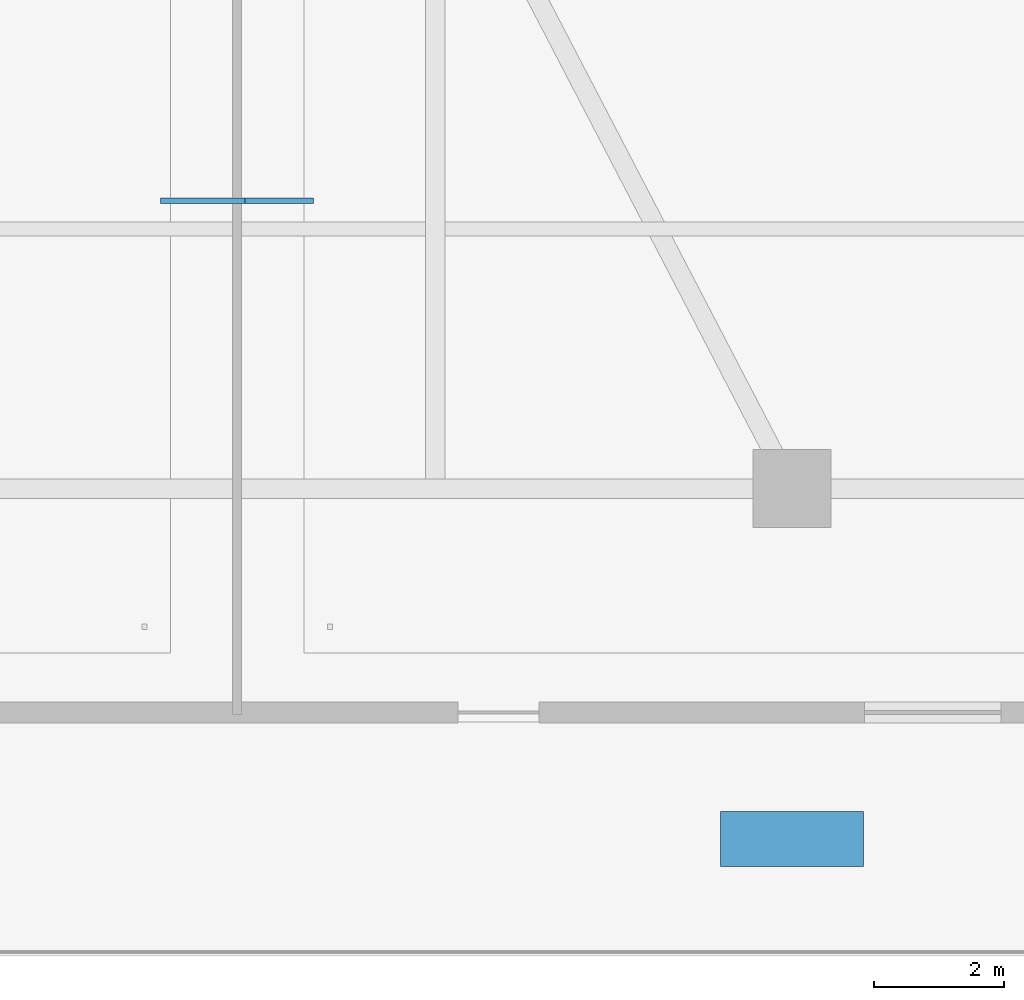
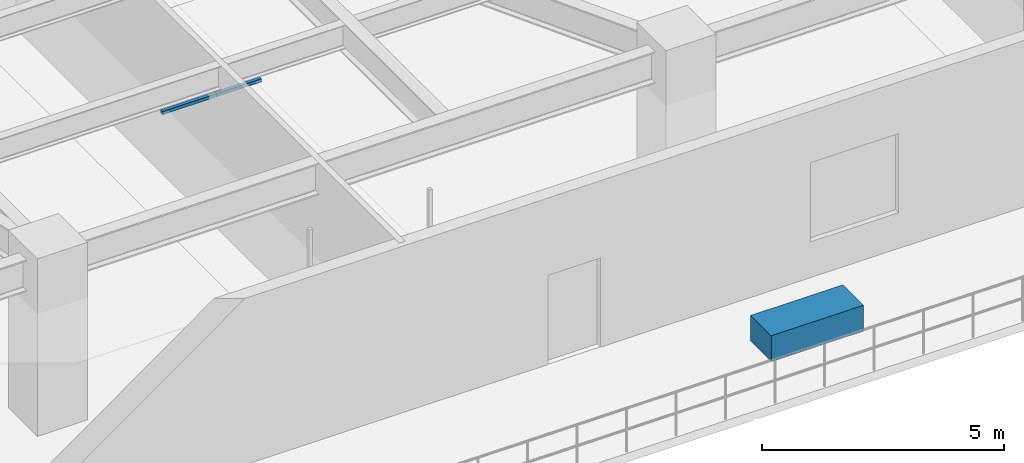
# One storey, part 14 of 22: 3 discrete accessories.
"""IFC4 building model written with IfcOpenShell, lengths in metres."""

import ifcopenshell
import ifcopenshell.guid

model = None  # the IFC model being written
_history = None  # IfcOwnerHistory: only IFC2X3 demands one
_inside = {}  # id of a spatial element -> (the spatial element, [elements in it])
_under = {}  # id of a project, library or spatial element -> (it, [spatial elements below it])
_declared = {}  # id of a project -> (the project, [libraries it declares])
_typed = {}  # id of a type object -> (the type object, [elements of that type])
_made_of = {}  # id of a material, layer set ... -> (it, [elements and type objects made of it])


def new_model(schema):
    """Start an empty IFC model of exactly this schema.

    Asked for "IFC4X3", IfcOpenShell would pick the latest addendum, in which some entities
    have other attributes; the version numbers below select the first issue.
    IFC2X3 requires an IfcOwnerHistory on every rooted entity: one is made here for all.
    """
    global model, _history
    if schema == "IFC4X3":
        model = ifcopenshell.file(schema_version=(4, 3, 0, 0))
    else:
        model = ifcopenshell.file(schema=schema)
    _inside.clear()
    _under.clear()
    _declared.clear()
    _typed.clear()
    _made_of.clear()
    _history = None
    if model.schema == "IFC2X3":
        org = make("IfcOrganization", Name="unknown")
        user = make(
            "IfcPersonAndOrganization",
            ThePerson=make("IfcPerson", FamilyName="unknown"),
            TheOrganization=org,
        )
        app = make(
            "IfcApplication",
            ApplicationDeveloper=org,
            Version="unknown",
            ApplicationFullName="unknown",
            ApplicationIdentifier="unknown",
        )
        _history = make(
            "IfcOwnerHistory",
            OwningUser=user,
            OwningApplication=app,
            ChangeAction="ADDED",
            CreationDate=0,
        )
    return model


def make(cls, **values):
    """One entity of the class cls with the attributes given. An attribute that is None is left unset."""
    return model.create_entity(
        cls, **{name: value for name, value in values.items() if value is not None}
    )


def rooted(cls, **values):
    """An entity with a GlobalId (a new one), such as an element, a storey or a relation."""
    return make(cls, GlobalId=ifcopenshell.guid.new(), OwnerHistory=_history, **values)


def si_unit(unit_type, name, prefix=None):
    """IfcSIUnit, for example si_unit("LENGTHUNIT", "METRE", prefix="MILLI")."""
    return make("IfcSIUnit", UnitType=unit_type, Prefix=prefix, Name=name)


def assignment(units):
    """IfcUnitAssignment: the units of a project."""
    return None if units is None else make("IfcUnitAssignment", Units=units)


def point(xyz):
    """IfcCartesianPoint."""
    return None if xyz is None else make("IfcCartesianPoint", Coordinates=xyz)


def direction(xyz):
    """IfcDirection."""
    return None if xyz is None else make("IfcDirection", DirectionRatios=xyz)


def frame(location, z_axis=None, x_axis=None):
    """IfcAxis2Placement3D, a coordinate frame: its origin and axes. An axis left out is left unset."""
    return make(
        "IfcAxis2Placement3D",
        Location=point(location),
        Axis=direction(z_axis),
        RefDirection=direction(x_axis),
    )


def frame_2d(location, x_axis=None):
    """IfcAxis2Placement2D, a coordinate frame in the plane: its origin and x axis."""
    return make(
        "IfcAxis2Placement2D", Location=point(location), RefDirection=direction(x_axis)
    )


def origin():
    """The frame at (0, 0, 0) with its axes left unset."""
    return frame((0.0, 0.0, 0.0))


def origin_2d():
    """The frame at (0, 0) in the plane with its x axis left unset."""
    return frame_2d((0.0, 0.0))


def place(relative_to, where):
    """IfcLocalPlacement: puts the frame where relative to a parent placement (None: the world)."""
    return make(
        "IfcLocalPlacement", PlacementRelTo=relative_to, RelativePlacement=where
    )


def context(
    kind, dimensions, precision=None, world=None, true_north=None, identifier=None
):
    """IfcGeometricRepresentationContext, for example the 3D "Model" context."""
    return make(
        "IfcGeometricRepresentationContext",
        ContextIdentifier=identifier,
        ContextType=kind,
        CoordinateSpaceDimension=dimensions,
        Precision=precision,
        WorldCoordinateSystem=world,
        TrueNorth=true_north,
    )


def subcontext(parent, identifier, kind, view, scale=None):
    """IfcGeometricRepresentationSubContext, for example "Body" below "Model"."""
    return make(
        "IfcGeometricRepresentationSubContext",
        ContextIdentifier=identifier,
        ContextType=kind,
        ParentContext=parent,
        TargetScale=scale,
        TargetView=view,
    )


def project(units=None, contexts=None):
    """IfcProject with its units and contexts."""
    return rooted(
        "IfcProject",
        Name="project",
        RepresentationContexts=contexts,
        UnitsInContext=assignment(units),
    )


def spatial(cls, under=None, at=None, **own):
    """A site, building, storey or space (cls), placed at a placement, below another one or the project."""
    s = rooted(cls, ObjectPlacement=at, **own)
    if under is not None:
        _under.setdefault(under.id(), (under, []))[1].append(s)
    return s


def profile(cls, at=None, kind="AREA", **sizes):
    """A parametric profile (cls). Its sizes go by their IFC names, for example OverallWidth=200.0."""
    return make(cls, ProfileType=kind, Position=at, **sizes)


def rectangle(**sizes):
    """IfcRectangleProfileDef."""
    return profile("IfcRectangleProfileDef", **sizes)


def extrude(swept, where, along, depth):
    """IfcExtrudedAreaSolid: the profile swept, set in the frame where, extruded along a direction by depth."""
    return make(
        "IfcExtrudedAreaSolid",
        SweptArea=swept,
        Position=where,
        ExtrudedDirection=direction(along),
        Depth=depth,
    )


def shape(context_of_items, identifier, shape_type, items):
    """IfcShapeRepresentation: the items that make up one representation, for example the "Body"."""
    return make(
        "IfcShapeRepresentation",
        ContextOfItems=context_of_items,
        RepresentationIdentifier=identifier,
        RepresentationType=shape_type,
        Items=items,
    )


def material(Name=None, Category=None):
    """IfcMaterial."""
    return make("IfcMaterial", Name=Name, Category=Category)


def made_of(thing, what):
    """Note that an element or type object is made of a material, layer set ...; save() writes the relation."""
    if what is not None:
        _made_of.setdefault(what.id(), (what, []))[1].append(thing)
    return thing


def type_object(cls, material=None, **own):
    """A type object (cls), such as IfcWallType, which elements share."""
    return made_of(rooted(cls, **own), material)


def element(
    cls,
    number,
    at=None,
    inside=None,
    cuts=None,
    type_object=None,
    material=None,
    context=None,
    identifier="Body",
    shape_type=None,
    held_by="IfcProductDefinitionShape",
    body=None,
    shapes=None,
    **own,
):
    """One element of the class cls, such as IfcWall. Its Tag is "e" and its number.

    at: its placement. inside: the storey or other place that contains it. cuts: it is an
    opening in that element (IfcRelVoidsElement). A single representation is given by context,
    identifier, shape_type and body (its items); several are given by shapes. held_by: the class
    of the entity that holds the representations. save() writes the other relations.
    """
    e = rooted(cls, Tag="e%d" % number, ObjectPlacement=at, **own)
    if body is not None:
        shapes = [shape(context, identifier, shape_type, body)]
    if shapes is not None:
        e.Representation = make(held_by, Representations=shapes)
    if inside is not None:
        _inside.setdefault(inside.id(), (inside, []))[1].append(e)
    if cuts is not None:
        rooted(
            "IfcRelVoidsElement", RelatingBuildingElement=cuts, RelatedOpeningElement=e
        )
    if type_object is not None:
        _typed.setdefault(type_object.id(), (type_object, []))[1].append(e)
    return made_of(e, material)


def aggregate(whole, parts):
    """IfcRelAggregates: a whole, such as a stair, and the parts it consists of."""
    return rooted("IfcRelAggregates", RelatingObject=whole, RelatedObjects=parts)


def save(model, path):
    """Write the relations noted so far, then the file.

    IfcRelAggregates (storeys below a building ...), IfcRelContainedInSpatialStructure (elements
    in a storey), IfcRelDefinesByType, IfcRelAssociatesMaterial and IfcRelDeclares: one each for
    every whole, place, type object, material and project.
    """
    for whole, parts in _under.values():
        aggregate(whole, parts)
    for where, things in _inside.values():
        rooted(
            "IfcRelContainedInSpatialStructure",
            RelatedElements=things,
            RelatingStructure=where,
        )
    for kind, things in _typed.values():
        rooted("IfcRelDefinesByType", RelatedObjects=things, RelatingType=kind)
    for what, things in _made_of.values():
        rooted("IfcRelAssociatesMaterial", RelatedObjects=things, RelatingMaterial=what)
    for by, libraries in _declared.values():
        rooted("IfcRelDeclares", RelatingContext=by, RelatedDefinitions=libraries)
    model.write(path)


model = new_model("IFC4")

# Units and contexts
model_context = context("Model", 3, precision=1e-05, world=origin(), true_north=direction((0.0, 1.0)))
body_context = subcontext(model_context, "Body", "Model", "MODEL_VIEW")
ifc_project = project(units=[si_unit("LENGTHUNIT", "METRE"), si_unit("AREAUNIT", "SQUARE_METRE"), si_unit("VOLUMEUNIT", "CUBIC_METRE"), si_unit("PLANEANGLEUNIT", "RADIAN"), si_unit("MASSUNIT", "GRAM", prefix="KILO")], contexts=[model_context])

# Site, building, storey
site_placement = place(None, origin())
site = spatial("IfcSite", under=ifc_project, at=site_placement, CompositionType="ELEMENT")
building_placement = place(site_placement, origin())
building = spatial("IfcBuilding", under=site, at=building_placement, Name="Tarnavaz Court Tower", CompositionType="ELEMENT")
storey_placement = place(building_placement, frame((0.0, 0.0, 14.39990234375)))
storey = spatial("IfcBuildingStorey", under=building, at=storey_placement, Name="L03", CompositionType="ELEMENT", Elevation=14.39990234375)

# Discrete accessories
ifc_material_1 = material(Name="Anodised Aluminium 6063-T6", Category="aluminium")
discrete_accessory_type_1 = type_object("IfcDiscreteAccessoryType", Name="DA-BRKT-ALU", PredefinedType="BRACKET", material=ifc_material_1)
for number, where, z_axis, x_axis, name in (
    (1, (-9.080078125, -18.364990234375, 3.052490234375), (0.0, 0.0, 1.0), (1.0, 0.0, 0.0), "L03 Ceiling Perimeter Wall-Tie Bracket 03-2"),
    (2, (-8.02001953125, -18.364990234375, 3.052490234375), (0.0, 0.0, 1.0), (1.0, 0.0, 0.0), "L03 Ceiling Perimeter Wall-Tie Bracket 04-1"),
):
    element("IfcDiscreteAccessory", number, at=place(storey_placement, frame(where, z_axis=z_axis, x_axis=x_axis)), inside=storey, type_object=discrete_accessory_type_1, Name=name, PredefinedType="BRACKET", context=body_context, shape_type="SweptSolid", body=[
        extrude(rectangle(XDim=1.300048828125, YDim=0.080078125, at=origin_2d()), origin(), (0.0, 0.0, 1.0), 0.080078125),
    ])
ifc_material_2 = material(Name="Terracotta Architectural Planter Trough", Category="masonry")
discrete_accessory_type_2 = type_object("IfcDiscreteAccessoryType", Name="DA-PLANTER-TC", PredefinedType="USERDEFINED", material=ifc_material_2)
discrete_accessory_placement = place(storey_placement, frame((0.0, -28.199951171875, 0.000244140625), z_axis=(0.0, 0.0, 1.0), x_axis=(1.0, 0.0, 0.0)))
element("IfcDiscreteAccessory", 3, at=discrete_accessory_placement, inside=storey, type_object=discrete_accessory_type_2, Name="L03 Chahar-Bagh Terracotta Landscape Planter 1", ObjectType="PLANTER", PredefinedType="USERDEFINED", context=body_context, shape_type="SweptSolid", body=[
    extrude(rectangle(XDim=2.199951171875, YDim=0.85009765625, at=origin_2d()), origin(), (0.0, 0.0, 1.0), 0.64990234375),
])

save(model, "model.ifc")
